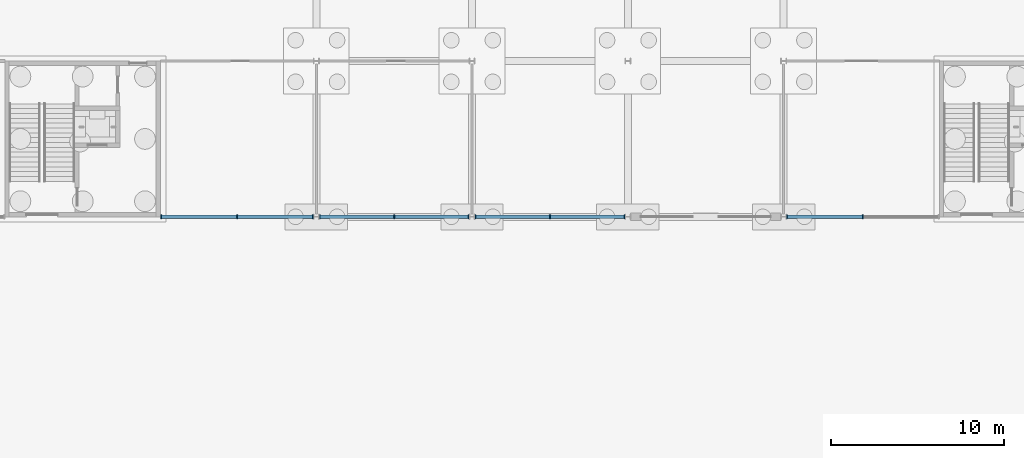
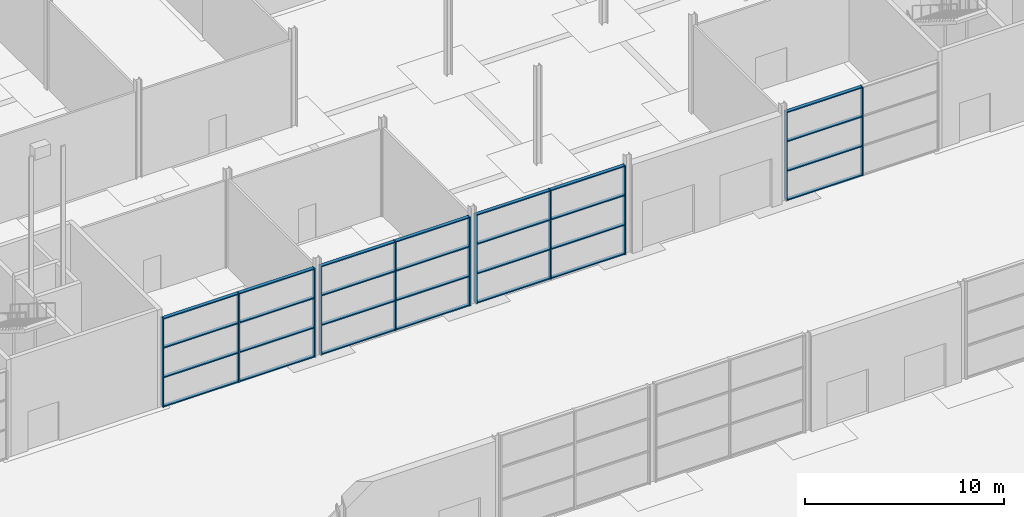
# One storey, part 37 of 97: 39 members, 4 elements without a shape of their own.
"""IFC4 building model written with IfcOpenShell, lengths in metres."""

from ifc_helpers import new_model, si_unit, direction, frame, origin, origin_2d, place, context, subcontext, project, spatial, rectangle, extrude, material, layer, layer_set, material_profile, profile_set, type_object, element, aggregate, save


model = new_model("IFC4")

# Units and contexts
model_context = context("Model", 3, precision=1e-05, world=origin(), true_north=direction((0.0, 1.0)))
body_context = subcontext(model_context, "Body", "Model", "MODEL_VIEW")
ifc_project = project(units=[si_unit("LENGTHUNIT", "METRE"), si_unit("AREAUNIT", "SQUARE_METRE"), si_unit("VOLUMEUNIT", "CUBIC_METRE"), si_unit("PLANEANGLEUNIT", "RADIAN"), si_unit("MASSUNIT", "GRAM", prefix="KILO")], contexts=[model_context])

# Site, building, storey
site_placement = place(None, origin())
site = spatial("IfcSite", under=ifc_project, at=site_placement, CompositionType="ELEMENT")
building_placement = place(site_placement, origin())
building = spatial("IfcBuilding", under=site, at=building_placement, Name="Corbel Yard City Hall", CompositionType="ELEMENT")
storey_placement = place(building_placement, origin())
storey = spatial("IfcBuildingStorey", under=building, at=storey_placement, Name="L00", CompositionType="ELEMENT", Elevation=0.0)

# Curtain wall, members
ifc_material = material(Name="Aluminium extrusion", Category="aluminium")
ifc_layer = layer(ifc_material, 0.25)
ifc_layer_set = layer_set([ifc_layer], Name="Aluminium extrusion")
curtain_wall_type = type_object("IfcCurtainWallType", Name="CW4", PredefinedType="USERDEFINED", material=ifc_layer_set)
curtain_wall_1_placement = place(storey_placement, origin())
curtain_wall_1 = element("IfcCurtainWall", 1, at=curtain_wall_1_placement, inside=storey, type_object=curtain_wall_type, Name="Curtain wall CW4 L00", ObjectType="CURTAIN WALL", PredefinedType="USERDEFINED")
ifc_material_profile_1 = material_profile(ifc_material, rectangle(XDim=0.25, YDim=0.06494140625, at=origin_2d()), Name="250x65")
ifc_profile_set_1 = profile_set([ifc_material_profile_1], Name="Aluminium extrusion")
member_type_1 = type_object("IfcMemberType", Name="ML4", PredefinedType="MULLION", material=ifc_profile_set_1)
member_1_placement = place(storey_placement, frame((63.032470703125, 45.0, 0.0), z_axis=(0.0, 0.0, 1.0), x_axis=(0.0, 1.0, 0.0)))
member_1 = element("IfcMember", 2, at=member_1_placement, type_object=member_type_1, Name="CW4 mullion 1", PredefinedType="MULLION", context=body_context, shape_type="SweptSolid", body=[
    extrude(rectangle(XDim=0.25, YDim=0.06494140625, at=origin_2d()), origin(), (0.0, 0.0, 1.0), 5.444091796875),
])
member_2_placement = place(storey_placement, frame((67.421142578125, 45.0, 0.0), z_axis=(0.0, 0.0, 1.0), x_axis=(0.0, 1.0, 0.0)))
member_2 = element("IfcMember", 3, at=member_2_placement, type_object=member_type_1, Name="CW4 mullion 2", PredefinedType="MULLION", context=body_context, shape_type="SweptSolid", body=[
    extrude(rectangle(XDim=0.25, YDim=0.06494140625, at=origin_2d()), origin(), (0.0, 0.0, 1.0), 5.444091796875),
])
member_3_placement = place(storey_placement, frame((71.81005859375, 45.0, 0.0), z_axis=(0.0, 0.0, 1.0), x_axis=(0.0, 1.0, 0.0)))
member_3 = element("IfcMember", 4, at=member_3_placement, type_object=member_type_1, Name="CW4 mullion 3", PredefinedType="MULLION", context=body_context, shape_type="SweptSolid", body=[
    extrude(rectangle(XDim=0.25, YDim=0.06494140625, at=origin_2d()), origin(), (0.0, 0.0, 1.0), 5.444091796875),
])

curtain_wall_2_placement = place(storey_placement, origin())
curtain_wall_2 = element("IfcCurtainWall", 5, at=curtain_wall_2_placement, inside=storey, type_object=curtain_wall_type, Name="Curtain wall CW4 L00", ObjectType="CURTAIN WALL", PredefinedType="USERDEFINED")
member_4_placement = place(storey_placement, frame((72.18994140625, 45.0, 0.0), z_axis=(0.0, 0.0, 1.0), x_axis=(0.0, 1.0, 0.0)))
member_4 = element("IfcMember", 6, at=member_4_placement, type_object=member_type_1, Name="CW4 mullion 1", PredefinedType="MULLION", context=body_context, shape_type="SweptSolid", body=[
    extrude(rectangle(XDim=0.25, YDim=0.06494140625, at=origin_2d()), origin(), (0.0, 0.0, 1.0), 5.444091796875),
])
member_5_placement = place(storey_placement, frame((76.5, 45.0, 0.0), z_axis=(0.0, 0.0, 1.0), x_axis=(0.0, 1.0, 0.0)))
member_5 = element("IfcMember", 7, at=member_5_placement, type_object=member_type_1, Name="CW4 mullion 2", PredefinedType="MULLION", context=body_context, shape_type="SweptSolid", body=[
    extrude(rectangle(XDim=0.25, YDim=0.06494140625, at=origin_2d()), origin(), (0.0, 0.0, 1.0), 5.444091796875),
])
member_6_placement = place(storey_placement, frame((80.81005859375, 45.0, 0.0), z_axis=(0.0, 0.0, 1.0), x_axis=(0.0, 1.0, 0.0)))
member_6 = element("IfcMember", 8, at=member_6_placement, type_object=member_type_1, Name="CW4 mullion 3", PredefinedType="MULLION", context=body_context, shape_type="SweptSolid", body=[
    extrude(rectangle(XDim=0.25, YDim=0.06494140625, at=origin_2d()), origin(), (0.0, 0.0, 1.0), 5.444091796875),
])

curtain_wall_3_placement = place(storey_placement, origin())
curtain_wall_3 = element("IfcCurtainWall", 9, at=curtain_wall_3_placement, inside=storey, type_object=curtain_wall_type, Name="Curtain wall CW4 L00", ObjectType="CURTAIN WALL", PredefinedType="USERDEFINED")
member_7_placement = place(storey_placement, frame((81.18994140625, 45.0, 0.0), z_axis=(0.0, 0.0, 1.0), x_axis=(0.0, 1.0, 0.0)))
member_7 = element("IfcMember", 10, at=member_7_placement, type_object=member_type_1, Name="CW4 mullion 1", PredefinedType="MULLION", context=body_context, shape_type="SweptSolid", body=[
    extrude(rectangle(XDim=0.25, YDim=0.06494140625, at=origin_2d()), origin(), (0.0, 0.0, 1.0), 5.444091796875),
])
member_8_placement = place(storey_placement, frame((85.5, 45.0, 0.0), z_axis=(0.0, 0.0, 1.0), x_axis=(0.0, 1.0, 0.0)))
member_8 = element("IfcMember", 11, at=member_8_placement, type_object=member_type_1, Name="CW4 mullion 2", PredefinedType="MULLION", context=body_context, shape_type="SweptSolid", body=[
    extrude(rectangle(XDim=0.25, YDim=0.06494140625, at=origin_2d()), origin(), (0.0, 0.0, 1.0), 5.444091796875),
])
member_9_placement = place(storey_placement, frame((89.81005859375, 45.0, 0.0), z_axis=(0.0, 0.0, 1.0), x_axis=(0.0, 1.0, 0.0)))
member_9 = element("IfcMember", 12, at=member_9_placement, type_object=member_type_1, Name="CW4 mullion 3", PredefinedType="MULLION", context=body_context, shape_type="SweptSolid", body=[
    extrude(rectangle(XDim=0.25, YDim=0.06494140625, at=origin_2d()), origin(), (0.0, 0.0, 1.0), 5.444091796875),
])

curtain_wall_4_placement = place(storey_placement, origin())
curtain_wall_4 = element("IfcCurtainWall", 13, at=curtain_wall_4_placement, inside=storey, type_object=curtain_wall_type, Name="Curtain wall CW4 L00", ObjectType="CURTAIN WALL", PredefinedType="USERDEFINED")
member_10_placement = place(storey_placement, frame((99.18994140625, 45.0, 0.0), z_axis=(0.0, 0.0, 1.0), x_axis=(0.0, 1.0, 0.0)))
member_10 = element("IfcMember", 14, at=member_10_placement, type_object=member_type_1, Name="CW4 mullion 1", PredefinedType="MULLION", context=body_context, shape_type="SweptSolid", body=[
    extrude(rectangle(XDim=0.25, YDim=0.06494140625, at=origin_2d()), origin(), (0.0, 0.0, 1.0), 5.444091796875),
])
member_11_placement = place(storey_placement, frame((103.578857421875, 45.0, 0.0), z_axis=(0.0, 0.0, 1.0), x_axis=(0.0, 1.0, 0.0)))
member_11 = element("IfcMember", 15, at=member_11_placement, type_object=member_type_1, Name="CW4 mullion 2", PredefinedType="MULLION", context=body_context, shape_type="SweptSolid", body=[
    extrude(rectangle(XDim=0.25, YDim=0.06494140625, at=origin_2d()), origin(), (0.0, 0.0, 1.0), 5.444091796875),
])

# Member
ifc_material_profile_2 = material_profile(ifc_material, rectangle(XDim=0.199951171875, YDim=0.06494140625, at=origin_2d()), Name="200x65")
ifc_profile_set_2 = profile_set([ifc_material_profile_2], Name="Aluminium extrusion")
member_type_2 = type_object("IfcMemberType", Name="TR4", PredefinedType="USERDEFINED", material=ifc_profile_set_2)
member_12_placement = place(storey_placement, frame((63.06494140625, 45.0, 0.032470703125), z_axis=(1.0, 0.0, 0.0), x_axis=(0.0, 1.0, 0.0)))
member_12 = element("IfcMember", 16, at=member_12_placement, type_object=member_type_2, Name="CW4 transom 1.1", ObjectType="TRANSOM", PredefinedType="USERDEFINED", context=body_context, shape_type="SweptSolid", body=[
    extrude(rectangle(XDim=0.199951171875, YDim=0.06494140625, at=origin_2d()), origin(), (0.0, 0.0, 1.0), 4.32373046875),
])

member_13_placement = place(storey_placement, frame((63.06494140625, 45.0, 1.814697265625), z_axis=(1.0, 0.0, 0.0), x_axis=(0.0, 1.0, 0.0)))
member_13 = element("IfcMember", 17, at=member_13_placement, type_object=member_type_2, Name="CW4 transom 1.2", ObjectType="TRANSOM", PredefinedType="USERDEFINED", context=body_context, shape_type="SweptSolid", body=[
    extrude(rectangle(XDim=0.199951171875, YDim=0.06494140625, at=origin_2d()), origin(), (0.0, 0.0, 1.0), 4.32373046875),
])

member_14_placement = place(storey_placement, frame((63.06494140625, 45.0, 3.62939453125), z_axis=(1.0, 0.0, 0.0), x_axis=(0.0, 1.0, 0.0)))
member_14 = element("IfcMember", 18, at=member_14_placement, type_object=member_type_2, Name="CW4 transom 1.3", ObjectType="TRANSOM", PredefinedType="USERDEFINED", context=body_context, shape_type="SweptSolid", body=[
    extrude(rectangle(XDim=0.199951171875, YDim=0.06494140625, at=origin_2d()), origin(), (0.0, 0.0, 1.0), 4.32373046875),
])

member_15_placement = place(storey_placement, frame((63.06494140625, 45.0, 5.41162109375), z_axis=(1.0, 0.0, 0.0), x_axis=(0.0, 1.0, 0.0)))
member_15 = element("IfcMember", 19, at=member_15_placement, type_object=member_type_2, Name="CW4 transom 1.4", ObjectType="TRANSOM", PredefinedType="USERDEFINED", context=body_context, shape_type="SweptSolid", body=[
    extrude(rectangle(XDim=0.199951171875, YDim=0.06494140625, at=origin_2d()), origin(), (0.0, 0.0, 1.0), 4.32373046875),
])

member_16_placement = place(storey_placement, frame((67.453857421875, 45.0, 0.032470703125), z_axis=(1.0, 0.0, 0.0), x_axis=(0.0, 1.0, 0.0)))
member_16 = element("IfcMember", 20, at=member_16_placement, type_object=member_type_2, Name="CW4 transom 2.1", ObjectType="TRANSOM", PredefinedType="USERDEFINED", context=body_context, shape_type="SweptSolid", body=[
    extrude(rectangle(XDim=0.199951171875, YDim=0.06494140625, at=origin_2d()), origin(), (0.0, 0.0, 1.0), 4.32373046875),
])

member_17_placement = place(storey_placement, frame((67.453857421875, 45.0, 1.814697265625), z_axis=(1.0, 0.0, 0.0), x_axis=(0.0, 1.0, 0.0)))
member_17 = element("IfcMember", 21, at=member_17_placement, type_object=member_type_2, Name="CW4 transom 2.2", ObjectType="TRANSOM", PredefinedType="USERDEFINED", context=body_context, shape_type="SweptSolid", body=[
    extrude(rectangle(XDim=0.199951171875, YDim=0.06494140625, at=origin_2d()), origin(), (0.0, 0.0, 1.0), 4.32373046875),
])

member_18_placement = place(storey_placement, frame((67.453857421875, 45.0, 3.62939453125), z_axis=(1.0, 0.0, 0.0), x_axis=(0.0, 1.0, 0.0)))
member_18 = element("IfcMember", 22, at=member_18_placement, type_object=member_type_2, Name="CW4 transom 2.3", ObjectType="TRANSOM", PredefinedType="USERDEFINED", context=body_context, shape_type="SweptSolid", body=[
    extrude(rectangle(XDim=0.199951171875, YDim=0.06494140625, at=origin_2d()), origin(), (0.0, 0.0, 1.0), 4.32373046875),
])

member_19_placement = place(storey_placement, frame((67.453857421875, 45.0, 5.41162109375), z_axis=(1.0, 0.0, 0.0), x_axis=(0.0, 1.0, 0.0)))
member_19 = element("IfcMember", 23, at=member_19_placement, type_object=member_type_2, Name="CW4 transom 2.4", ObjectType="TRANSOM", PredefinedType="USERDEFINED", context=body_context, shape_type="SweptSolid", body=[
    extrude(rectangle(XDim=0.199951171875, YDim=0.06494140625, at=origin_2d()), origin(), (0.0, 0.0, 1.0), 4.32373046875),
])

aggregate(curtain_wall_1, [member_1, member_2, member_3, member_12, member_13, member_14, member_15, member_16, member_17, member_18, member_19])

member_20_placement = place(storey_placement, frame((72.222412109375, 45.0, 0.032470703125), z_axis=(1.0, 0.0, 0.0), x_axis=(0.0, 1.0, 0.0)))
member_20 = element("IfcMember", 24, at=member_20_placement, type_object=member_type_2, Name="CW4 transom 1.1", ObjectType="TRANSOM", PredefinedType="USERDEFINED", context=body_context, shape_type="SweptSolid", body=[
    extrude(rectangle(XDim=0.199951171875, YDim=0.06494140625, at=origin_2d()), origin(), (0.0, 0.0, 1.0), 4.2451171875),
])

member_21_placement = place(storey_placement, frame((72.222412109375, 45.0, 1.814697265625), z_axis=(1.0, 0.0, 0.0), x_axis=(0.0, 1.0, 0.0)))
member_21 = element("IfcMember", 25, at=member_21_placement, type_object=member_type_2, Name="CW4 transom 1.2", ObjectType="TRANSOM", PredefinedType="USERDEFINED", context=body_context, shape_type="SweptSolid", body=[
    extrude(rectangle(XDim=0.199951171875, YDim=0.06494140625, at=origin_2d()), origin(), (0.0, 0.0, 1.0), 4.2451171875),
])

member_22_placement = place(storey_placement, frame((72.222412109375, 45.0, 3.62939453125), z_axis=(1.0, 0.0, 0.0), x_axis=(0.0, 1.0, 0.0)))
member_22 = element("IfcMember", 26, at=member_22_placement, type_object=member_type_2, Name="CW4 transom 1.3", ObjectType="TRANSOM", PredefinedType="USERDEFINED", context=body_context, shape_type="SweptSolid", body=[
    extrude(rectangle(XDim=0.199951171875, YDim=0.06494140625, at=origin_2d()), origin(), (0.0, 0.0, 1.0), 4.2451171875),
])

member_23_placement = place(storey_placement, frame((72.222412109375, 45.0, 5.41162109375), z_axis=(1.0, 0.0, 0.0), x_axis=(0.0, 1.0, 0.0)))
member_23 = element("IfcMember", 27, at=member_23_placement, type_object=member_type_2, Name="CW4 transom 1.4", ObjectType="TRANSOM", PredefinedType="USERDEFINED", context=body_context, shape_type="SweptSolid", body=[
    extrude(rectangle(XDim=0.199951171875, YDim=0.06494140625, at=origin_2d()), origin(), (0.0, 0.0, 1.0), 4.2451171875),
])

member_24_placement = place(storey_placement, frame((76.532470703125, 45.0, 0.032470703125), z_axis=(1.0, 0.0, 0.0), x_axis=(0.0, 1.0, 0.0)))
member_24 = element("IfcMember", 28, at=member_24_placement, type_object=member_type_2, Name="CW4 transom 2.1", ObjectType="TRANSOM", PredefinedType="USERDEFINED", context=body_context, shape_type="SweptSolid", body=[
    extrude(rectangle(XDim=0.199951171875, YDim=0.06494140625, at=origin_2d()), origin(), (0.0, 0.0, 1.0), 4.2451171875),
])

member_25_placement = place(storey_placement, frame((76.532470703125, 45.0, 1.814697265625), z_axis=(1.0, 0.0, 0.0), x_axis=(0.0, 1.0, 0.0)))
member_25 = element("IfcMember", 29, at=member_25_placement, type_object=member_type_2, Name="CW4 transom 2.2", ObjectType="TRANSOM", PredefinedType="USERDEFINED", context=body_context, shape_type="SweptSolid", body=[
    extrude(rectangle(XDim=0.199951171875, YDim=0.06494140625, at=origin_2d()), origin(), (0.0, 0.0, 1.0), 4.2451171875),
])

member_26_placement = place(storey_placement, frame((76.532470703125, 45.0, 3.62939453125), z_axis=(1.0, 0.0, 0.0), x_axis=(0.0, 1.0, 0.0)))
member_26 = element("IfcMember", 30, at=member_26_placement, type_object=member_type_2, Name="CW4 transom 2.3", ObjectType="TRANSOM", PredefinedType="USERDEFINED", context=body_context, shape_type="SweptSolid", body=[
    extrude(rectangle(XDim=0.199951171875, YDim=0.06494140625, at=origin_2d()), origin(), (0.0, 0.0, 1.0), 4.2451171875),
])

member_27_placement = place(storey_placement, frame((76.532470703125, 45.0, 5.41162109375), z_axis=(1.0, 0.0, 0.0), x_axis=(0.0, 1.0, 0.0)))
member_27 = element("IfcMember", 31, at=member_27_placement, type_object=member_type_2, Name="CW4 transom 2.4", ObjectType="TRANSOM", PredefinedType="USERDEFINED", context=body_context, shape_type="SweptSolid", body=[
    extrude(rectangle(XDim=0.199951171875, YDim=0.06494140625, at=origin_2d()), origin(), (0.0, 0.0, 1.0), 4.2451171875),
])

aggregate(curtain_wall_2, [member_4, member_5, member_6, member_20, member_21, member_22, member_23, member_24, member_25, member_26, member_27])

member_28_placement = place(storey_placement, frame((81.222412109375, 45.0, 0.032470703125), z_axis=(1.0, 0.0, 0.0), x_axis=(0.0, 1.0, 0.0)))
member_28 = element("IfcMember", 32, at=member_28_placement, type_object=member_type_2, Name="CW4 transom 1.1", ObjectType="TRANSOM", PredefinedType="USERDEFINED", context=body_context, shape_type="SweptSolid", body=[
    extrude(rectangle(XDim=0.199951171875, YDim=0.06494140625, at=origin_2d()), origin(), (0.0, 0.0, 1.0), 4.2451171875),
])

member_29_placement = place(storey_placement, frame((81.222412109375, 45.0, 1.814697265625), z_axis=(1.0, 0.0, 0.0), x_axis=(0.0, 1.0, 0.0)))
member_29 = element("IfcMember", 33, at=member_29_placement, type_object=member_type_2, Name="CW4 transom 1.2", ObjectType="TRANSOM", PredefinedType="USERDEFINED", context=body_context, shape_type="SweptSolid", body=[
    extrude(rectangle(XDim=0.199951171875, YDim=0.06494140625, at=origin_2d()), origin(), (0.0, 0.0, 1.0), 4.2451171875),
])

member_30_placement = place(storey_placement, frame((81.222412109375, 45.0, 3.62939453125), z_axis=(1.0, 0.0, 0.0), x_axis=(0.0, 1.0, 0.0)))
member_30 = element("IfcMember", 34, at=member_30_placement, type_object=member_type_2, Name="CW4 transom 1.3", ObjectType="TRANSOM", PredefinedType="USERDEFINED", context=body_context, shape_type="SweptSolid", body=[
    extrude(rectangle(XDim=0.199951171875, YDim=0.06494140625, at=origin_2d()), origin(), (0.0, 0.0, 1.0), 4.2451171875),
])

member_31_placement = place(storey_placement, frame((81.222412109375, 45.0, 5.41162109375), z_axis=(1.0, 0.0, 0.0), x_axis=(0.0, 1.0, 0.0)))
member_31 = element("IfcMember", 35, at=member_31_placement, type_object=member_type_2, Name="CW4 transom 1.4", ObjectType="TRANSOM", PredefinedType="USERDEFINED", context=body_context, shape_type="SweptSolid", body=[
    extrude(rectangle(XDim=0.199951171875, YDim=0.06494140625, at=origin_2d()), origin(), (0.0, 0.0, 1.0), 4.2451171875),
])

member_32_placement = place(storey_placement, frame((85.532470703125, 45.0, 0.032470703125), z_axis=(1.0, 0.0, 0.0), x_axis=(0.0, 1.0, 0.0)))
member_32 = element("IfcMember", 36, at=member_32_placement, type_object=member_type_2, Name="CW4 transom 2.1", ObjectType="TRANSOM", PredefinedType="USERDEFINED", context=body_context, shape_type="SweptSolid", body=[
    extrude(rectangle(XDim=0.199951171875, YDim=0.06494140625, at=origin_2d()), origin(), (0.0, 0.0, 1.0), 4.2451171875),
])

member_33_placement = place(storey_placement, frame((85.532470703125, 45.0, 1.814697265625), z_axis=(1.0, 0.0, 0.0), x_axis=(0.0, 1.0, 0.0)))
member_33 = element("IfcMember", 37, at=member_33_placement, type_object=member_type_2, Name="CW4 transom 2.2", ObjectType="TRANSOM", PredefinedType="USERDEFINED", context=body_context, shape_type="SweptSolid", body=[
    extrude(rectangle(XDim=0.199951171875, YDim=0.06494140625, at=origin_2d()), origin(), (0.0, 0.0, 1.0), 4.2451171875),
])

member_34_placement = place(storey_placement, frame((85.532470703125, 45.0, 3.62939453125), z_axis=(1.0, 0.0, 0.0), x_axis=(0.0, 1.0, 0.0)))
member_34 = element("IfcMember", 38, at=member_34_placement, type_object=member_type_2, Name="CW4 transom 2.3", ObjectType="TRANSOM", PredefinedType="USERDEFINED", context=body_context, shape_type="SweptSolid", body=[
    extrude(rectangle(XDim=0.199951171875, YDim=0.06494140625, at=origin_2d()), origin(), (0.0, 0.0, 1.0), 4.2451171875),
])

member_35_placement = place(storey_placement, frame((85.532470703125, 45.0, 5.41162109375), z_axis=(1.0, 0.0, 0.0), x_axis=(0.0, 1.0, 0.0)))
member_35 = element("IfcMember", 39, at=member_35_placement, type_object=member_type_2, Name="CW4 transom 2.4", ObjectType="TRANSOM", PredefinedType="USERDEFINED", context=body_context, shape_type="SweptSolid", body=[
    extrude(rectangle(XDim=0.199951171875, YDim=0.06494140625, at=origin_2d()), origin(), (0.0, 0.0, 1.0), 4.2451171875),
])

aggregate(curtain_wall_3, [member_7, member_8, member_9, member_28, member_29, member_30, member_31, member_32, member_33, member_34, member_35])

member_36_placement = place(storey_placement, frame((99.222412109375, 45.0, 0.032470703125), z_axis=(1.0, 0.0, 0.0), x_axis=(0.0, 1.0, 0.0)))
member_36 = element("IfcMember", 40, at=member_36_placement, type_object=member_type_2, Name="CW4 transom 1.1", ObjectType="TRANSOM", PredefinedType="USERDEFINED", context=body_context, shape_type="SweptSolid", body=[
    extrude(rectangle(XDim=0.199951171875, YDim=0.06494140625, at=origin_2d()), origin(), (0.0, 0.0, 1.0), 4.32373046875),
])

member_37_placement = place(storey_placement, frame((99.222412109375, 45.0, 1.814697265625), z_axis=(1.0, 0.0, 0.0), x_axis=(0.0, 1.0, 0.0)))
member_37 = element("IfcMember", 41, at=member_37_placement, type_object=member_type_2, Name="CW4 transom 1.2", ObjectType="TRANSOM", PredefinedType="USERDEFINED", context=body_context, shape_type="SweptSolid", body=[
    extrude(rectangle(XDim=0.199951171875, YDim=0.06494140625, at=origin_2d()), origin(), (0.0, 0.0, 1.0), 4.32373046875),
])

member_38_placement = place(storey_placement, frame((99.222412109375, 45.0, 3.62939453125), z_axis=(1.0, 0.0, 0.0), x_axis=(0.0, 1.0, 0.0)))
member_38 = element("IfcMember", 42, at=member_38_placement, type_object=member_type_2, Name="CW4 transom 1.3", ObjectType="TRANSOM", PredefinedType="USERDEFINED", context=body_context, shape_type="SweptSolid", body=[
    extrude(rectangle(XDim=0.199951171875, YDim=0.06494140625, at=origin_2d()), origin(), (0.0, 0.0, 1.0), 4.32373046875),
])

member_39_placement = place(storey_placement, frame((99.222412109375, 45.0, 5.41162109375), z_axis=(1.0, 0.0, 0.0), x_axis=(0.0, 1.0, 0.0)))
member_39 = element("IfcMember", 43, at=member_39_placement, type_object=member_type_2, Name="CW4 transom 1.4", ObjectType="TRANSOM", PredefinedType="USERDEFINED", context=body_context, shape_type="SweptSolid", body=[
    extrude(rectangle(XDim=0.199951171875, YDim=0.06494140625, at=origin_2d()), origin(), (0.0, 0.0, 1.0), 4.32373046875),
])

aggregate(curtain_wall_4, [member_10, member_11, member_36, member_37, member_38, member_39])

save(model, "model.ifc")
